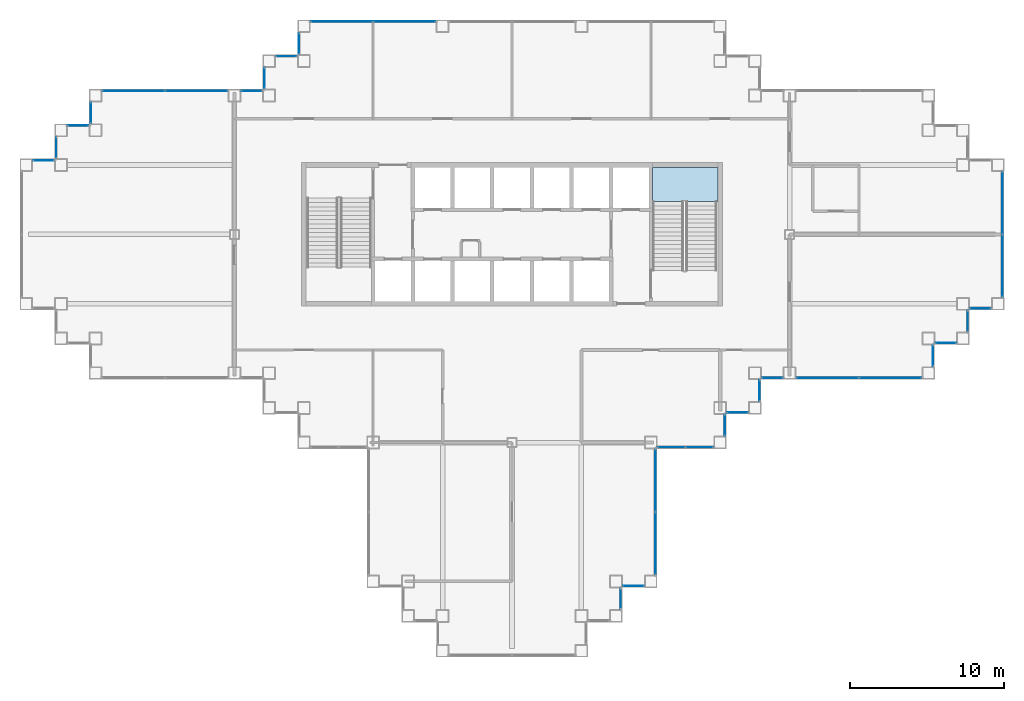
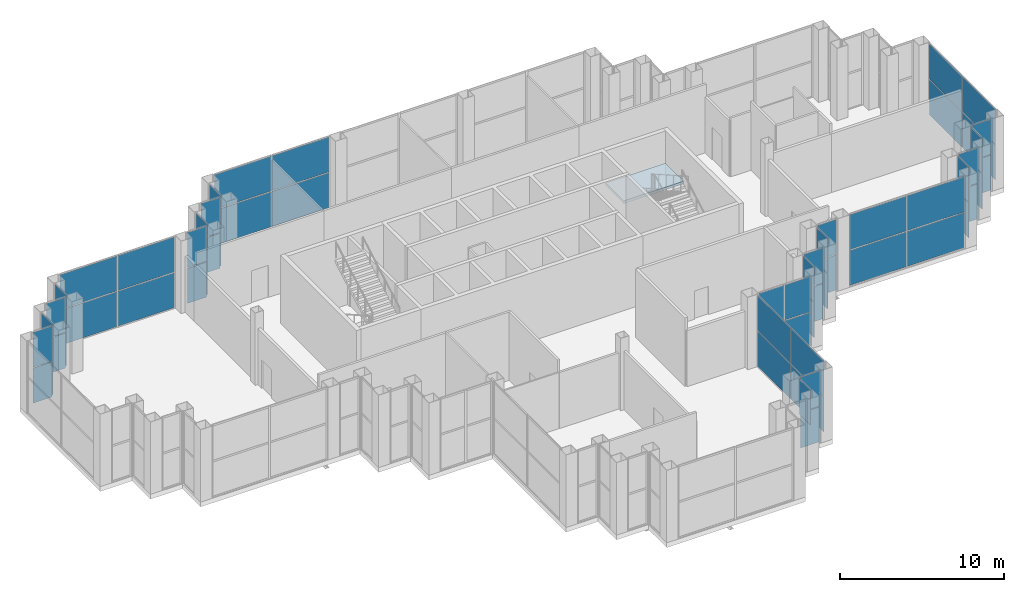
# One storey, part 10 of 18: 59 plates, 1 slab, 25 elements without a shape of their own.
"""IFC4 building model written with IfcOpenShell, lengths in metres."""

from ifc_helpers import new_model, si_unit, direction, frame, origin, origin_2d, place, context, subcontext, project, spatial, polyline, rectangle, outline, extrude, material, layer, layer_set, type_object, element, aggregate, save


model = new_model("IFC4")

# Units and contexts
model_context = context("Model", 3, precision=1e-05, world=origin(), true_north=direction((0.0, 1.0)))
body_context = subcontext(model_context, "Body", "Model", "MODEL_VIEW")
ifc_project = project(units=[si_unit("LENGTHUNIT", "METRE"), si_unit("AREAUNIT", "SQUARE_METRE"), si_unit("VOLUMEUNIT", "CUBIC_METRE"), si_unit("PLANEANGLEUNIT", "RADIAN"), si_unit("MASSUNIT", "GRAM", prefix="KILO")], contexts=[model_context])

# Site, building, storey
site_placement = place(None, origin())
site = spatial("IfcSite", under=ifc_project, at=site_placement, CompositionType="ELEMENT")
building_placement = place(site_placement, origin())
building = spatial("IfcBuilding", under=site, at=building_placement, Name="Caravel Reach Hotel and Residences", CompositionType="ELEMENT")
storey_placement = place(building_placement, frame((0.0, 0.0, 145.199951171875)))
storey = spatial("IfcBuildingStorey", under=building, at=storey_placement, Name="L36", CompositionType="ELEMENT", Elevation=145.199951171875)

# Curtain wall, plate
ifc_material_1 = material(Name="Dark low-e glazing in black aluminium frame", Category="aluminium")
ifc_layer_1 = layer(ifc_material_1, 0.199951171875)
ifc_layer_set_1 = layer_set([ifc_layer_1], Name="CW2 Sky lobby glazing")
curtain_wall_type = type_object("IfcCurtainWallType", Name="CW2 Sky lobby glazing", PredefinedType="NOTDEFINED", material=ifc_layer_set_1)
curtain_wall_1_placement = place(storey_placement, origin())
curtain_wall_1 = element("IfcCurtainWall", 1, at=curtain_wall_1_placement, inside=storey, type_object=curtain_wall_type, Name="Sky lobby glazing b0", PredefinedType="NOTDEFINED")
ifc_material_2 = material(Name="Dark laminated low-e glass", Category="glass")
ifc_layer_2 = layer(ifc_material_2, 0.028076171875)
ifc_layer_set_2 = layer_set([ifc_layer_2], Name="CW glass panel 28")
plate_type = type_object("IfcPlateType", Name="CW glass panel 28", PredefinedType="CURTAIN_PANEL", material=ifc_layer_set_2)
plate_1_placement = place(storey_placement, frame((38.550048828125, 3.375, 2.72998046875), z_axis=(0.0, 0.0, 1.0), x_axis=(0.0, 1.0, 0.0)))
plate_1 = element("IfcPlate", 2, at=plate_1_placement, type_object=plate_type, Name="CW2 panel 1.2", PredefinedType="CURTAIN_PANEL", context=body_context, shape_type="SweptSolid", body=[
    extrude(rectangle(XDim=1.330078125, YDim=0.028076171875, at=origin_2d()), origin(), (0.0, 0.0, 1.0), 2.610107421875),
])
aggregate(curtain_wall_1, [plate_1])

# Curtain wall, plates
curtain_wall_2_placement = place(storey_placement, origin())
curtain_wall_2 = element("IfcCurtainWall", 3, at=curtain_wall_2_placement, inside=storey, type_object=curtain_wall_type, Name="Sky lobby glazing b0", PredefinedType="NOTDEFINED")
plate_2_placement = place(storey_placement, frame((39.375, 4.199951171875, 0.06005859375), z_axis=(0.0, 0.0, 1.0), x_axis=(1.0, 0.0, 0.0)))
plate_2 = element("IfcPlate", 4, at=plate_2_placement, type_object=plate_type, Name="CW2 panel 1.1", PredefinedType="CURTAIN_PANEL", context=body_context, shape_type="SweptSolid", body=[
    extrude(rectangle(XDim=1.330078125, YDim=0.028076171875, at=origin_2d()), origin(), (0.0, 0.0, 1.0), 2.610107421875),
])
plate_3_placement = place(storey_placement, frame((39.375, 4.199951171875, 2.72998046875), z_axis=(0.0, 0.0, 1.0), x_axis=(1.0, 0.0, 0.0)))
plate_3 = element("IfcPlate", 5, at=plate_3_placement, type_object=plate_type, Name="CW2 panel 1.2", PredefinedType="CURTAIN_PANEL", context=body_context, shape_type="SweptSolid", body=[
    extrude(rectangle(XDim=1.330078125, YDim=0.028076171875, at=origin_2d()), origin(), (0.0, 0.0, 1.0), 2.610107421875),
])
aggregate(curtain_wall_2, [plate_2, plate_3])

curtain_wall_3_placement = place(storey_placement, origin())
curtain_wall_3 = element("IfcCurtainWall", 6, at=curtain_wall_3_placement, inside=storey, type_object=curtain_wall_type, Name="Sky lobby glazing b0", PredefinedType="NOTDEFINED")
plate_4_placement = place(storey_placement, frame((40.800048828125, 6.965087890625, 0.06005859375), z_axis=(0.0, 0.0, 1.0), x_axis=(0.0, 1.0, 0.0)))
plate_4 = element("IfcPlate", 7, at=plate_4_placement, type_object=plate_type, Name="CW2 panel 1.1", PredefinedType="CURTAIN_PANEL", context=body_context, shape_type="SweptSolid", body=[
    extrude(rectangle(XDim=4.010009765625, YDim=0.028076171875, at=origin_2d()), origin(), (0.0, 0.0, 1.0), 2.610107421875),
])
plate_5_placement = place(storey_placement, frame((40.800048828125, 6.965087890625, 2.72998046875), z_axis=(0.0, 0.0, 1.0), x_axis=(0.0, 1.0, 0.0)))
plate_5 = element("IfcPlate", 8, at=plate_5_placement, type_object=plate_type, Name="CW2 panel 1.2", PredefinedType="CURTAIN_PANEL", context=body_context, shape_type="SweptSolid", body=[
    extrude(rectangle(XDim=4.010009765625, YDim=0.028076171875, at=origin_2d()), origin(), (0.0, 0.0, 1.0), 2.610107421875),
])
plate_6_placement = place(storey_placement, frame((40.800048828125, 11.034912109375, 0.06005859375), z_axis=(0.0, 0.0, 1.0), x_axis=(0.0, 1.0, 0.0)))
plate_6 = element("IfcPlate", 9, at=plate_6_placement, type_object=plate_type, Name="CW2 panel 2.1", PredefinedType="CURTAIN_PANEL", context=body_context, shape_type="SweptSolid", body=[
    extrude(rectangle(XDim=4.010009765625, YDim=0.028076171875, at=origin_2d()), origin(), (0.0, 0.0, 1.0), 2.610107421875),
])
plate_7_placement = place(storey_placement, frame((40.800048828125, 11.034912109375, 2.72998046875), z_axis=(0.0, 0.0, 1.0), x_axis=(0.0, 1.0, 0.0)))
plate_7 = element("IfcPlate", 10, at=plate_7_placement, type_object=plate_type, Name="CW2 panel 2.2", PredefinedType="CURTAIN_PANEL", context=body_context, shape_type="SweptSolid", body=[
    extrude(rectangle(XDim=4.010009765625, YDim=0.028076171875, at=origin_2d()), origin(), (0.0, 0.0, 1.0), 2.610107421875),
])
aggregate(curtain_wall_3, [plate_4, plate_5, plate_6, plate_7])

curtain_wall_4_placement = place(storey_placement, origin())
curtain_wall_4 = element("IfcCurtainWall", 11, at=curtain_wall_4_placement, inside=storey, type_object=curtain_wall_type, Name="Sky lobby glazing b0", PredefinedType="NOTDEFINED")
plate_8_placement = place(storey_placement, frame((41.840087890625, 13.199951171875, 0.06005859375), z_axis=(0.0, 0.0, 1.0), x_axis=(1.0, 0.0, 0.0)))
plate_8 = element("IfcPlate", 12, at=plate_8_placement, type_object=plate_type, Name="CW2 panel 1.1", PredefinedType="CURTAIN_PANEL", context=body_context, shape_type="SweptSolid", body=[
    extrude(rectangle(XDim=1.760009765625, YDim=0.028076171875, at=origin_2d()), origin(), (0.0, 0.0, 1.0), 2.610107421875),
])
plate_9_placement = place(storey_placement, frame((41.840087890625, 13.199951171875, 2.72998046875), z_axis=(0.0, 0.0, 1.0), x_axis=(1.0, 0.0, 0.0)))
plate_9 = element("IfcPlate", 13, at=plate_9_placement, type_object=plate_type, Name="CW2 panel 1.2", PredefinedType="CURTAIN_PANEL", context=body_context, shape_type="SweptSolid", body=[
    extrude(rectangle(XDim=1.760009765625, YDim=0.028076171875, at=origin_2d()), origin(), (0.0, 0.0, 1.0), 2.610107421875),
])
plate_10_placement = place(storey_placement, frame((43.659912109375, 13.199951171875, 0.06005859375), z_axis=(0.0, 0.0, 1.0), x_axis=(1.0, 0.0, 0.0)))
plate_10 = element("IfcPlate", 14, at=plate_10_placement, type_object=plate_type, Name="CW2 panel 2.1", PredefinedType="CURTAIN_PANEL", context=body_context, shape_type="SweptSolid", body=[
    extrude(rectangle(XDim=1.760009765625, YDim=0.028076171875, at=origin_2d()), origin(), (0.0, 0.0, 1.0), 2.610107421875),
])
plate_11_placement = place(storey_placement, frame((43.659912109375, 13.199951171875, 2.72998046875), z_axis=(0.0, 0.0, 1.0), x_axis=(1.0, 0.0, 0.0)))
plate_11 = element("IfcPlate", 15, at=plate_11_placement, type_object=plate_type, Name="CW2 panel 2.2", PredefinedType="CURTAIN_PANEL", context=body_context, shape_type="SweptSolid", body=[
    extrude(rectangle(XDim=1.760009765625, YDim=0.028076171875, at=origin_2d()), origin(), (0.0, 0.0, 1.0), 2.610107421875),
])
aggregate(curtain_wall_4, [plate_8, plate_9, plate_10, plate_11])

curtain_wall_5_placement = place(storey_placement, origin())
curtain_wall_5 = element("IfcCurtainWall", 16, at=curtain_wall_5_placement, inside=storey, type_object=curtain_wall_type, Name="Sky lobby glazing b0", PredefinedType="NOTDEFINED")
plate_12_placement = place(storey_placement, frame((45.300048828125, 14.625, 0.06005859375), z_axis=(0.0, 0.0, 1.0), x_axis=(0.0, 1.0, 0.0)))
plate_12 = element("IfcPlate", 17, at=plate_12_placement, type_object=plate_type, Name="CW2 panel 1.1", PredefinedType="CURTAIN_PANEL", context=body_context, shape_type="SweptSolid", body=[
    extrude(rectangle(XDim=1.330078125, YDim=0.028076171875, at=origin_2d()), origin(), (0.0, 0.0, 1.0), 2.610107421875),
])
plate_13_placement = place(storey_placement, frame((45.300048828125, 14.625, 2.72998046875), z_axis=(0.0, 0.0, 1.0), x_axis=(0.0, 1.0, 0.0)))
plate_13 = element("IfcPlate", 18, at=plate_13_placement, type_object=plate_type, Name="CW2 panel 1.2", PredefinedType="CURTAIN_PANEL", context=body_context, shape_type="SweptSolid", body=[
    extrude(rectangle(XDim=1.330078125, YDim=0.028076171875, at=origin_2d()), origin(), (0.0, 0.0, 1.0), 2.610107421875),
])
aggregate(curtain_wall_5, [plate_12, plate_13])

curtain_wall_6_placement = place(storey_placement, origin())
curtain_wall_6 = element("IfcCurtainWall", 19, at=curtain_wall_6_placement, inside=storey, type_object=curtain_wall_type, Name="Sky lobby glazing b0", PredefinedType="NOTDEFINED")
plate_14_placement = place(storey_placement, frame((46.125, 15.449951171875, 0.06005859375), z_axis=(0.0, 0.0, 1.0), x_axis=(1.0, 0.0, 0.0)))
plate_14 = element("IfcPlate", 20, at=plate_14_placement, type_object=plate_type, Name="CW2 panel 1.1", PredefinedType="CURTAIN_PANEL", context=body_context, shape_type="SweptSolid", body=[
    extrude(rectangle(XDim=1.330078125, YDim=0.028076171875, at=origin_2d()), origin(), (0.0, 0.0, 1.0), 2.610107421875),
])
plate_15_placement = place(storey_placement, frame((46.125, 15.449951171875, 2.72998046875), z_axis=(0.0, 0.0, 1.0), x_axis=(1.0, 0.0, 0.0)))
plate_15 = element("IfcPlate", 21, at=plate_15_placement, type_object=plate_type, Name="CW2 panel 1.2", PredefinedType="CURTAIN_PANEL", context=body_context, shape_type="SweptSolid", body=[
    extrude(rectangle(XDim=1.330078125, YDim=0.028076171875, at=origin_2d()), origin(), (0.0, 0.0, 1.0), 2.610107421875),
])
aggregate(curtain_wall_6, [plate_14, plate_15])

curtain_wall_7_placement = place(storey_placement, origin())
curtain_wall_7 = element("IfcCurtainWall", 22, at=curtain_wall_7_placement, inside=storey, type_object=curtain_wall_type, Name="Sky lobby glazing b0", PredefinedType="NOTDEFINED")
plate_16_placement = place(storey_placement, frame((47.550048828125, 16.875, 0.06005859375), z_axis=(0.0, 0.0, 1.0), x_axis=(0.0, 1.0, 0.0)))
plate_16 = element("IfcPlate", 23, at=plate_16_placement, type_object=plate_type, Name="CW2 panel 1.1", PredefinedType="CURTAIN_PANEL", context=body_context, shape_type="SweptSolid", body=[
    extrude(rectangle(XDim=1.330078125, YDim=0.028076171875, at=origin_2d()), origin(), (0.0, 0.0, 1.0), 2.610107421875),
])
plate_17_placement = place(storey_placement, frame((47.550048828125, 16.875, 2.72998046875), z_axis=(0.0, 0.0, 1.0), x_axis=(0.0, 1.0, 0.0)))
plate_17 = element("IfcPlate", 24, at=plate_17_placement, type_object=plate_type, Name="CW2 panel 1.2", PredefinedType="CURTAIN_PANEL", context=body_context, shape_type="SweptSolid", body=[
    extrude(rectangle(XDim=1.330078125, YDim=0.028076171875, at=origin_2d()), origin(), (0.0, 0.0, 1.0), 2.610107421875),
])
aggregate(curtain_wall_7, [plate_16, plate_17])

curtain_wall_8_placement = place(storey_placement, origin())
curtain_wall_8 = element("IfcCurtainWall", 25, at=curtain_wall_8_placement, inside=storey, type_object=curtain_wall_type, Name="Sky lobby glazing b0", PredefinedType="NOTDEFINED")
plate_18_placement = place(storey_placement, frame((48.375, 17.699951171875, 0.06005859375), z_axis=(0.0, 0.0, 1.0), x_axis=(1.0, 0.0, 0.0)))
plate_18 = element("IfcPlate", 26, at=plate_18_placement, type_object=plate_type, Name="CW2 panel 1.1", PredefinedType="CURTAIN_PANEL", context=body_context, shape_type="SweptSolid", body=[
    extrude(rectangle(XDim=1.330078125, YDim=0.028076171875, at=origin_2d()), origin(), (0.0, 0.0, 1.0), 2.610107421875),
])
plate_19_placement = place(storey_placement, frame((48.375, 17.699951171875, 2.72998046875), z_axis=(0.0, 0.0, 1.0), x_axis=(1.0, 0.0, 0.0)))
plate_19 = element("IfcPlate", 27, at=plate_19_placement, type_object=plate_type, Name="CW2 panel 1.2", PredefinedType="CURTAIN_PANEL", context=body_context, shape_type="SweptSolid", body=[
    extrude(rectangle(XDim=1.330078125, YDim=0.028076171875, at=origin_2d()), origin(), (0.0, 0.0, 1.0), 2.610107421875),
])
aggregate(curtain_wall_8, [plate_18, plate_19])

curtain_wall_9_placement = place(storey_placement, origin())
curtain_wall_9 = element("IfcCurtainWall", 28, at=curtain_wall_9_placement, inside=storey, type_object=curtain_wall_type, Name="Sky lobby glazing b1", PredefinedType="NOTDEFINED")
plate_20_placement = place(storey_placement, frame((51.965087890625, 17.699951171875, 0.06005859375), z_axis=(0.0, 0.0, 1.0), x_axis=(1.0, 0.0, 0.0)))
plate_20 = element("IfcPlate", 29, at=plate_20_placement, type_object=plate_type, Name="CW2 panel 1.1", PredefinedType="CURTAIN_PANEL", context=body_context, shape_type="SweptSolid", body=[
    extrude(rectangle(XDim=4.010009765625, YDim=0.028076171875, at=origin_2d()), origin(), (0.0, 0.0, 1.0), 2.610107421875),
])
plate_21_placement = place(storey_placement, frame((51.965087890625, 17.699951171875, 2.72998046875), z_axis=(0.0, 0.0, 1.0), x_axis=(1.0, 0.0, 0.0)))
plate_21 = element("IfcPlate", 30, at=plate_21_placement, type_object=plate_type, Name="CW2 panel 1.2", PredefinedType="CURTAIN_PANEL", context=body_context, shape_type="SweptSolid", body=[
    extrude(rectangle(XDim=4.010009765625, YDim=0.028076171875, at=origin_2d()), origin(), (0.0, 0.0, 1.0), 2.610107421875),
])
plate_22_placement = place(storey_placement, frame((56.034912109375, 17.699951171875, 0.06005859375), z_axis=(0.0, 0.0, 1.0), x_axis=(1.0, 0.0, 0.0)))
plate_22 = element("IfcPlate", 31, at=plate_22_placement, type_object=plate_type, Name="CW2 panel 2.1", PredefinedType="CURTAIN_PANEL", context=body_context, shape_type="SweptSolid", body=[
    extrude(rectangle(XDim=4.010009765625, YDim=0.028076171875, at=origin_2d()), origin(), (0.0, 0.0, 1.0), 2.610107421875),
])
plate_23_placement = place(storey_placement, frame((56.034912109375, 17.699951171875, 2.72998046875), z_axis=(0.0, 0.0, 1.0), x_axis=(1.0, 0.0, 0.0)))
plate_23 = element("IfcPlate", 32, at=plate_23_placement, type_object=plate_type, Name="CW2 panel 2.2", PredefinedType="CURTAIN_PANEL", context=body_context, shape_type="SweptSolid", body=[
    extrude(rectangle(XDim=4.010009765625, YDim=0.028076171875, at=origin_2d()), origin(), (0.0, 0.0, 1.0), 2.610107421875),
])
aggregate(curtain_wall_9, [plate_20, plate_21, plate_22, plate_23])

curtain_wall_10_placement = place(storey_placement, origin())
curtain_wall_10 = element("IfcCurtainWall", 33, at=curtain_wall_10_placement, inside=storey, type_object=curtain_wall_type, Name="Sky lobby glazing b0", PredefinedType="NOTDEFINED")
plate_24_placement = place(storey_placement, frame((58.800048828125, 19.125, 0.06005859375), z_axis=(0.0, 0.0, 1.0), x_axis=(0.0, 1.0, 0.0)))
plate_24 = element("IfcPlate", 34, at=plate_24_placement, type_object=plate_type, Name="CW2 panel 1.1", PredefinedType="CURTAIN_PANEL", context=body_context, shape_type="SweptSolid", body=[
    extrude(rectangle(XDim=1.330078125, YDim=0.028076171875, at=origin_2d()), origin(), (0.0, 0.0, 1.0), 2.610107421875),
])
plate_25_placement = place(storey_placement, frame((58.800048828125, 19.125, 2.72998046875), z_axis=(0.0, 0.0, 1.0), x_axis=(0.0, 1.0, 0.0)))
plate_25 = element("IfcPlate", 35, at=plate_25_placement, type_object=plate_type, Name="CW2 panel 1.2", PredefinedType="CURTAIN_PANEL", context=body_context, shape_type="SweptSolid", body=[
    extrude(rectangle(XDim=1.330078125, YDim=0.028076171875, at=origin_2d()), origin(), (0.0, 0.0, 1.0), 2.610107421875),
])
aggregate(curtain_wall_10, [plate_24, plate_25])

curtain_wall_11_placement = place(storey_placement, origin())
curtain_wall_11 = element("IfcCurtainWall", 36, at=curtain_wall_11_placement, inside=storey, type_object=curtain_wall_type, Name="Sky lobby glazing b0", PredefinedType="NOTDEFINED")
plate_26_placement = place(storey_placement, frame((59.625, 19.949951171875, 0.06005859375), z_axis=(0.0, 0.0, 1.0), x_axis=(1.0, 0.0, 0.0)))
plate_26 = element("IfcPlate", 37, at=plate_26_placement, type_object=plate_type, Name="CW2 panel 1.1", PredefinedType="CURTAIN_PANEL", context=body_context, shape_type="SweptSolid", body=[
    extrude(rectangle(XDim=1.330078125, YDim=0.028076171875, at=origin_2d()), origin(), (0.0, 0.0, 1.0), 2.610107421875),
])
plate_27_placement = place(storey_placement, frame((59.625, 19.949951171875, 2.72998046875), z_axis=(0.0, 0.0, 1.0), x_axis=(1.0, 0.0, 0.0)))
plate_27 = element("IfcPlate", 38, at=plate_27_placement, type_object=plate_type, Name="CW2 panel 1.2", PredefinedType="CURTAIN_PANEL", context=body_context, shape_type="SweptSolid", body=[
    extrude(rectangle(XDim=1.330078125, YDim=0.028076171875, at=origin_2d()), origin(), (0.0, 0.0, 1.0), 2.610107421875),
])
aggregate(curtain_wall_11, [plate_26, plate_27])

curtain_wall_12_placement = place(storey_placement, origin())
curtain_wall_12 = element("IfcCurtainWall", 39, at=curtain_wall_12_placement, inside=storey, type_object=curtain_wall_type, Name="Sky lobby glazing b0", PredefinedType="NOTDEFINED")
plate_28_placement = place(storey_placement, frame((61.050048828125, 21.375, 0.06005859375), z_axis=(0.0, 0.0, 1.0), x_axis=(0.0, 1.0, 0.0)))
plate_28 = element("IfcPlate", 40, at=plate_28_placement, type_object=plate_type, Name="CW2 panel 1.1", PredefinedType="CURTAIN_PANEL", context=body_context, shape_type="SweptSolid", body=[
    extrude(rectangle(XDim=1.330078125, YDim=0.028076171875, at=origin_2d()), origin(), (0.0, 0.0, 1.0), 2.610107421875),
])
plate_29_placement = place(storey_placement, frame((61.050048828125, 21.375, 2.72998046875), z_axis=(0.0, 0.0, 1.0), x_axis=(0.0, 1.0, 0.0)))
plate_29 = element("IfcPlate", 41, at=plate_29_placement, type_object=plate_type, Name="CW2 panel 1.2", PredefinedType="CURTAIN_PANEL", context=body_context, shape_type="SweptSolid", body=[
    extrude(rectangle(XDim=1.330078125, YDim=0.028076171875, at=origin_2d()), origin(), (0.0, 0.0, 1.0), 2.610107421875),
])
aggregate(curtain_wall_12, [plate_28, plate_29])

curtain_wall_13_placement = place(storey_placement, origin())
curtain_wall_13 = element("IfcCurtainWall", 42, at=curtain_wall_13_placement, inside=storey, type_object=curtain_wall_type, Name="Sky lobby glazing b0", PredefinedType="NOTDEFINED")
plate_30_placement = place(storey_placement, frame((61.875, 22.199951171875, 0.06005859375), z_axis=(0.0, 0.0, 1.0), x_axis=(1.0, 0.0, 0.0)))
plate_30 = element("IfcPlate", 43, at=plate_30_placement, type_object=plate_type, Name="CW2 panel 1.1", PredefinedType="CURTAIN_PANEL", context=body_context, shape_type="SweptSolid", body=[
    extrude(rectangle(XDim=1.330078125, YDim=0.028076171875, at=origin_2d()), origin(), (0.0, 0.0, 1.0), 2.610107421875),
])
plate_31_placement = place(storey_placement, frame((61.875, 22.199951171875, 2.72998046875), z_axis=(0.0, 0.0, 1.0), x_axis=(1.0, 0.0, 0.0)))
plate_31 = element("IfcPlate", 44, at=plate_31_placement, type_object=plate_type, Name="CW2 panel 1.2", PredefinedType="CURTAIN_PANEL", context=body_context, shape_type="SweptSolid", body=[
    extrude(rectangle(XDim=1.330078125, YDim=0.028076171875, at=origin_2d()), origin(), (0.0, 0.0, 1.0), 2.610107421875),
])
aggregate(curtain_wall_13, [plate_30, plate_31])

curtain_wall_14_placement = place(storey_placement, origin())
curtain_wall_14 = element("IfcCurtainWall", 45, at=curtain_wall_14_placement, inside=storey, type_object=curtain_wall_type, Name="Sky lobby glazing b0", PredefinedType="NOTDEFINED")
plate_32_placement = place(storey_placement, frame((63.300048828125, 24.965087890625, 0.06005859375), z_axis=(0.0, 0.0, 1.0), x_axis=(0.0, 1.0, 0.0)))
plate_32 = element("IfcPlate", 46, at=plate_32_placement, type_object=plate_type, Name="CW2 panel 1.1", PredefinedType="CURTAIN_PANEL", context=body_context, shape_type="SweptSolid", body=[
    extrude(rectangle(XDim=4.010009765625, YDim=0.028076171875, at=origin_2d()), origin(), (0.0, 0.0, 1.0), 2.610107421875),
])
plate_33_placement = place(storey_placement, frame((63.300048828125, 24.965087890625, 2.72998046875), z_axis=(0.0, 0.0, 1.0), x_axis=(0.0, 1.0, 0.0)))
plate_33 = element("IfcPlate", 47, at=plate_33_placement, type_object=plate_type, Name="CW2 panel 1.2", PredefinedType="CURTAIN_PANEL", context=body_context, shape_type="SweptSolid", body=[
    extrude(rectangle(XDim=4.010009765625, YDim=0.028076171875, at=origin_2d()), origin(), (0.0, 0.0, 1.0), 2.610107421875),
])
plate_34_placement = place(storey_placement, frame((63.300048828125, 29.034912109375, 0.06005859375), z_axis=(0.0, 0.0, 1.0), x_axis=(0.0, 1.0, 0.0)))
plate_34 = element("IfcPlate", 48, at=plate_34_placement, type_object=plate_type, Name="CW2 panel 2.1", PredefinedType="CURTAIN_PANEL", context=body_context, shape_type="SweptSolid", body=[
    extrude(rectangle(XDim=4.010009765625, YDim=0.028076171875, at=origin_2d()), origin(), (0.0, 0.0, 1.0), 2.610107421875),
])
plate_35_placement = place(storey_placement, frame((63.300048828125, 29.034912109375, 2.72998046875), z_axis=(0.0, 0.0, 1.0), x_axis=(0.0, 1.0, 0.0)))
plate_35 = element("IfcPlate", 49, at=plate_35_placement, type_object=plate_type, Name="CW2 panel 2.2", PredefinedType="CURTAIN_PANEL", context=body_context, shape_type="SweptSolid", body=[
    extrude(rectangle(XDim=4.010009765625, YDim=0.028076171875, at=origin_2d()), origin(), (0.0, 0.0, 1.0), 2.610107421875),
])
aggregate(curtain_wall_14, [plate_32, plate_33, plate_34, plate_35])

curtain_wall_15_placement = place(storey_placement, origin())
curtain_wall_15 = element("IfcCurtainWall", 50, at=curtain_wall_15_placement, inside=storey, type_object=curtain_wall_type, Name="Sky lobby glazing b2", PredefinedType="NOTDEFINED")
plate_36_placement = place(storey_placement, frame((24.534912109375, 40.800048828125, 0.06005859375), z_axis=(0.0, 0.0, 1.0), x_axis=(-1.0, 0.0, 0.0)))
plate_36 = element("IfcPlate", 51, at=plate_36_placement, type_object=plate_type, Name="CW2 panel 1.1", PredefinedType="CURTAIN_PANEL", context=body_context, shape_type="SweptSolid", body=[
    extrude(rectangle(XDim=4.010009765625, YDim=0.028076171875, at=origin_2d()), origin(), (0.0, 0.0, 1.0), 2.610107421875),
])
plate_37_placement = place(storey_placement, frame((24.534912109375, 40.800048828125, 2.72998046875), z_axis=(0.0, 0.0, 1.0), x_axis=(-1.0, 0.0, 0.0)))
plate_37 = element("IfcPlate", 52, at=plate_37_placement, type_object=plate_type, Name="CW2 panel 1.2", PredefinedType="CURTAIN_PANEL", context=body_context, shape_type="SweptSolid", body=[
    extrude(rectangle(XDim=4.010009765625, YDim=0.028076171875, at=origin_2d()), origin(), (0.0, 0.0, 1.0), 2.610107421875),
])
plate_38_placement = place(storey_placement, frame((20.465087890625, 40.800048828125, 0.06005859375), z_axis=(0.0, 0.0, 1.0), x_axis=(-1.0, 0.0, 0.0)))
plate_38 = element("IfcPlate", 53, at=plate_38_placement, type_object=plate_type, Name="CW2 panel 2.1", PredefinedType="CURTAIN_PANEL", context=body_context, shape_type="SweptSolid", body=[
    extrude(rectangle(XDim=4.010009765625, YDim=0.028076171875, at=origin_2d()), origin(), (0.0, 0.0, 1.0), 2.610107421875),
])
plate_39_placement = place(storey_placement, frame((20.465087890625, 40.800048828125, 2.72998046875), z_axis=(0.0, 0.0, 1.0), x_axis=(-1.0, 0.0, 0.0)))
plate_39 = element("IfcPlate", 54, at=plate_39_placement, type_object=plate_type, Name="CW2 panel 2.2", PredefinedType="CURTAIN_PANEL", context=body_context, shape_type="SweptSolid", body=[
    extrude(rectangle(XDim=4.010009765625, YDim=0.028076171875, at=origin_2d()), origin(), (0.0, 0.0, 1.0), 2.610107421875),
])
aggregate(curtain_wall_15, [plate_36, plate_37, plate_38, plate_39])

curtain_wall_16_placement = place(storey_placement, origin())
curtain_wall_16 = element("IfcCurtainWall", 55, at=curtain_wall_16_placement, inside=storey, type_object=curtain_wall_type, Name="Sky lobby glazing b0", PredefinedType="NOTDEFINED")
plate_40_placement = place(storey_placement, frame((17.699951171875, 39.375, 0.06005859375), z_axis=(0.0, 0.0, 1.0), x_axis=(0.0, -1.0, 0.0)))
plate_40 = element("IfcPlate", 56, at=plate_40_placement, type_object=plate_type, Name="CW2 panel 1.1", PredefinedType="CURTAIN_PANEL", context=body_context, shape_type="SweptSolid", body=[
    extrude(rectangle(XDim=1.330078125, YDim=0.028076171875, at=origin_2d()), origin(), (0.0, 0.0, 1.0), 2.610107421875),
])
plate_41_placement = place(storey_placement, frame((17.699951171875, 39.375, 2.72998046875), z_axis=(0.0, 0.0, 1.0), x_axis=(0.0, -1.0, 0.0)))
plate_41 = element("IfcPlate", 57, at=plate_41_placement, type_object=plate_type, Name="CW2 panel 1.2", PredefinedType="CURTAIN_PANEL", context=body_context, shape_type="SweptSolid", body=[
    extrude(rectangle(XDim=1.330078125, YDim=0.028076171875, at=origin_2d()), origin(), (0.0, 0.0, 1.0), 2.610107421875),
])
aggregate(curtain_wall_16, [plate_40, plate_41])

curtain_wall_17_placement = place(storey_placement, origin())
curtain_wall_17 = element("IfcCurtainWall", 58, at=curtain_wall_17_placement, inside=storey, type_object=curtain_wall_type, Name="Sky lobby glazing b0", PredefinedType="NOTDEFINED")
plate_42_placement = place(storey_placement, frame((16.875, 38.550048828125, 0.06005859375), z_axis=(0.0, 0.0, 1.0), x_axis=(-1.0, 0.0, 0.0)))
plate_42 = element("IfcPlate", 59, at=plate_42_placement, type_object=plate_type, Name="CW2 panel 1.1", PredefinedType="CURTAIN_PANEL", context=body_context, shape_type="SweptSolid", body=[
    extrude(rectangle(XDim=1.330078125, YDim=0.028076171875, at=origin_2d()), origin(), (0.0, 0.0, 1.0), 2.610107421875),
])
plate_43_placement = place(storey_placement, frame((16.875, 38.550048828125, 2.72998046875), z_axis=(0.0, 0.0, 1.0), x_axis=(-1.0, 0.0, 0.0)))
plate_43 = element("IfcPlate", 60, at=plate_43_placement, type_object=plate_type, Name="CW2 panel 1.2", PredefinedType="CURTAIN_PANEL", context=body_context, shape_type="SweptSolid", body=[
    extrude(rectangle(XDim=1.330078125, YDim=0.028076171875, at=origin_2d()), origin(), (0.0, 0.0, 1.0), 2.610107421875),
])
aggregate(curtain_wall_17, [plate_42, plate_43])

curtain_wall_18_placement = place(storey_placement, origin())
curtain_wall_18 = element("IfcCurtainWall", 61, at=curtain_wall_18_placement, inside=storey, type_object=curtain_wall_type, Name="Sky lobby glazing b0", PredefinedType="NOTDEFINED")
plate_44_placement = place(storey_placement, frame((15.449951171875, 37.125, 0.06005859375), z_axis=(0.0, 0.0, 1.0), x_axis=(0.0, -1.0, 0.0)))
plate_44 = element("IfcPlate", 62, at=plate_44_placement, type_object=plate_type, Name="CW2 panel 1.1", PredefinedType="CURTAIN_PANEL", context=body_context, shape_type="SweptSolid", body=[
    extrude(rectangle(XDim=1.330078125, YDim=0.028076171875, at=origin_2d()), origin(), (0.0, 0.0, 1.0), 2.610107421875),
])
plate_45_placement = place(storey_placement, frame((15.449951171875, 37.125, 2.72998046875), z_axis=(0.0, 0.0, 1.0), x_axis=(0.0, -1.0, 0.0)))
plate_45 = element("IfcPlate", 63, at=plate_45_placement, type_object=plate_type, Name="CW2 panel 1.2", PredefinedType="CURTAIN_PANEL", context=body_context, shape_type="SweptSolid", body=[
    extrude(rectangle(XDim=1.330078125, YDim=0.028076171875, at=origin_2d()), origin(), (0.0, 0.0, 1.0), 2.610107421875),
])
aggregate(curtain_wall_18, [plate_44, plate_45])

curtain_wall_19_placement = place(storey_placement, origin())
curtain_wall_19 = element("IfcCurtainWall", 64, at=curtain_wall_19_placement, inside=storey, type_object=curtain_wall_type, Name="Sky lobby glazing b0", PredefinedType="NOTDEFINED")
plate_46_placement = place(storey_placement, frame((14.625, 36.300048828125, 0.06005859375), z_axis=(0.0, 0.0, 1.0), x_axis=(-1.0, 0.0, 0.0)))
plate_46 = element("IfcPlate", 65, at=plate_46_placement, type_object=plate_type, Name="CW2 panel 1.1", PredefinedType="CURTAIN_PANEL", context=body_context, shape_type="SweptSolid", body=[
    extrude(rectangle(XDim=1.330078125, YDim=0.028076171875, at=origin_2d()), origin(), (0.0, 0.0, 1.0), 2.610107421875),
])
plate_47_placement = place(storey_placement, frame((14.625, 36.300048828125, 2.72998046875), z_axis=(0.0, 0.0, 1.0), x_axis=(-1.0, 0.0, 0.0)))
plate_47 = element("IfcPlate", 66, at=plate_47_placement, type_object=plate_type, Name="CW2 panel 1.2", PredefinedType="CURTAIN_PANEL", context=body_context, shape_type="SweptSolid", body=[
    extrude(rectangle(XDim=1.330078125, YDim=0.028076171875, at=origin_2d()), origin(), (0.0, 0.0, 1.0), 2.610107421875),
])
aggregate(curtain_wall_19, [plate_46, plate_47])

curtain_wall_20_placement = place(storey_placement, origin())
curtain_wall_20 = element("IfcCurtainWall", 67, at=curtain_wall_20_placement, inside=storey, type_object=curtain_wall_type, Name="Sky lobby glazing b1", PredefinedType="NOTDEFINED")
plate_48_placement = place(storey_placement, frame((11.034912109375, 36.300048828125, 0.06005859375), z_axis=(0.0, 0.0, 1.0), x_axis=(-1.0, 0.0, 0.0)))
plate_48 = element("IfcPlate", 68, at=plate_48_placement, type_object=plate_type, Name="CW2 panel 1.1", PredefinedType="CURTAIN_PANEL", context=body_context, shape_type="SweptSolid", body=[
    extrude(rectangle(XDim=4.010009765625, YDim=0.028076171875, at=origin_2d()), origin(), (0.0, 0.0, 1.0), 2.610107421875),
])
plate_49_placement = place(storey_placement, frame((11.034912109375, 36.300048828125, 2.72998046875), z_axis=(0.0, 0.0, 1.0), x_axis=(-1.0, 0.0, 0.0)))
plate_49 = element("IfcPlate", 69, at=plate_49_placement, type_object=plate_type, Name="CW2 panel 1.2", PredefinedType="CURTAIN_PANEL", context=body_context, shape_type="SweptSolid", body=[
    extrude(rectangle(XDim=4.010009765625, YDim=0.028076171875, at=origin_2d()), origin(), (0.0, 0.0, 1.0), 2.610107421875),
])
plate_50_placement = place(storey_placement, frame((6.965087890625, 36.300048828125, 0.06005859375), z_axis=(0.0, 0.0, 1.0), x_axis=(-1.0, 0.0, 0.0)))
plate_50 = element("IfcPlate", 70, at=plate_50_placement, type_object=plate_type, Name="CW2 panel 2.1", PredefinedType="CURTAIN_PANEL", context=body_context, shape_type="SweptSolid", body=[
    extrude(rectangle(XDim=4.010009765625, YDim=0.028076171875, at=origin_2d()), origin(), (0.0, 0.0, 1.0), 2.610107421875),
])
plate_51_placement = place(storey_placement, frame((6.965087890625, 36.300048828125, 2.72998046875), z_axis=(0.0, 0.0, 1.0), x_axis=(-1.0, 0.0, 0.0)))
plate_51 = element("IfcPlate", 71, at=plate_51_placement, type_object=plate_type, Name="CW2 panel 2.2", PredefinedType="CURTAIN_PANEL", context=body_context, shape_type="SweptSolid", body=[
    extrude(rectangle(XDim=4.010009765625, YDim=0.028076171875, at=origin_2d()), origin(), (0.0, 0.0, 1.0), 2.610107421875),
])
aggregate(curtain_wall_20, [plate_48, plate_49, plate_50, plate_51])

curtain_wall_21_placement = place(storey_placement, origin())
curtain_wall_21 = element("IfcCurtainWall", 72, at=curtain_wall_21_placement, inside=storey, type_object=curtain_wall_type, Name="Sky lobby glazing b0", PredefinedType="NOTDEFINED")
plate_52_placement = place(storey_placement, frame((4.199951171875, 34.875, 0.06005859375), z_axis=(0.0, 0.0, 1.0), x_axis=(0.0, -1.0, 0.0)))
plate_52 = element("IfcPlate", 73, at=plate_52_placement, type_object=plate_type, Name="CW2 panel 1.1", PredefinedType="CURTAIN_PANEL", context=body_context, shape_type="SweptSolid", body=[
    extrude(rectangle(XDim=1.330078125, YDim=0.028076171875, at=origin_2d()), origin(), (0.0, 0.0, 1.0), 2.610107421875),
])
plate_53_placement = place(storey_placement, frame((4.199951171875, 34.875, 2.72998046875), z_axis=(0.0, 0.0, 1.0), x_axis=(0.0, -1.0, 0.0)))
plate_53 = element("IfcPlate", 74, at=plate_53_placement, type_object=plate_type, Name="CW2 panel 1.2", PredefinedType="CURTAIN_PANEL", context=body_context, shape_type="SweptSolid", body=[
    extrude(rectangle(XDim=1.330078125, YDim=0.028076171875, at=origin_2d()), origin(), (0.0, 0.0, 1.0), 2.610107421875),
])
aggregate(curtain_wall_21, [plate_52, plate_53])

curtain_wall_22_placement = place(storey_placement, origin())
curtain_wall_22 = element("IfcCurtainWall", 75, at=curtain_wall_22_placement, inside=storey, type_object=curtain_wall_type, Name="Sky lobby glazing b0", PredefinedType="NOTDEFINED")
plate_54_placement = place(storey_placement, frame((3.375, 34.050048828125, 0.06005859375), z_axis=(0.0, 0.0, 1.0), x_axis=(-1.0, 0.0, 0.0)))
plate_54 = element("IfcPlate", 76, at=plate_54_placement, type_object=plate_type, Name="CW2 panel 1.1", PredefinedType="CURTAIN_PANEL", context=body_context, shape_type="SweptSolid", body=[
    extrude(rectangle(XDim=1.330078125, YDim=0.028076171875, at=origin_2d()), origin(), (0.0, 0.0, 1.0), 2.610107421875),
])
plate_55_placement = place(storey_placement, frame((3.375, 34.050048828125, 2.72998046875), z_axis=(0.0, 0.0, 1.0), x_axis=(-1.0, 0.0, 0.0)))
plate_55 = element("IfcPlate", 77, at=plate_55_placement, type_object=plate_type, Name="CW2 panel 1.2", PredefinedType="CURTAIN_PANEL", context=body_context, shape_type="SweptSolid", body=[
    extrude(rectangle(XDim=1.330078125, YDim=0.028076171875, at=origin_2d()), origin(), (0.0, 0.0, 1.0), 2.610107421875),
])
aggregate(curtain_wall_22, [plate_54, plate_55])

curtain_wall_23_placement = place(storey_placement, origin())
curtain_wall_23 = element("IfcCurtainWall", 78, at=curtain_wall_23_placement, inside=storey, type_object=curtain_wall_type, Name="Sky lobby glazing b0", PredefinedType="NOTDEFINED")
plate_56_placement = place(storey_placement, frame((1.949951171875, 32.625, 0.06005859375), z_axis=(0.0, 0.0, 1.0), x_axis=(0.0, -1.0, 0.0)))
plate_56 = element("IfcPlate", 79, at=plate_56_placement, type_object=plate_type, Name="CW2 panel 1.1", PredefinedType="CURTAIN_PANEL", context=body_context, shape_type="SweptSolid", body=[
    extrude(rectangle(XDim=1.330078125, YDim=0.028076171875, at=origin_2d()), origin(), (0.0, 0.0, 1.0), 2.610107421875),
])
plate_57_placement = place(storey_placement, frame((1.949951171875, 32.625, 2.72998046875), z_axis=(0.0, 0.0, 1.0), x_axis=(0.0, -1.0, 0.0)))
plate_57 = element("IfcPlate", 80, at=plate_57_placement, type_object=plate_type, Name="CW2 panel 1.2", PredefinedType="CURTAIN_PANEL", context=body_context, shape_type="SweptSolid", body=[
    extrude(rectangle(XDim=1.330078125, YDim=0.028076171875, at=origin_2d()), origin(), (0.0, 0.0, 1.0), 2.610107421875),
])
aggregate(curtain_wall_23, [plate_56, plate_57])

curtain_wall_24_placement = place(storey_placement, origin())
curtain_wall_24 = element("IfcCurtainWall", 81, at=curtain_wall_24_placement, inside=storey, type_object=curtain_wall_type, Name="Sky lobby glazing b0", PredefinedType="NOTDEFINED")
plate_58_placement = place(storey_placement, frame((1.125, 31.800048828125, 0.06005859375), z_axis=(0.0, 0.0, 1.0), x_axis=(-1.0, 0.0, 0.0)))
plate_58 = element("IfcPlate", 82, at=plate_58_placement, type_object=plate_type, Name="CW2 panel 1.1", PredefinedType="CURTAIN_PANEL", context=body_context, shape_type="SweptSolid", body=[
    extrude(rectangle(XDim=1.330078125, YDim=0.028076171875, at=origin_2d()), origin(), (0.0, 0.0, 1.0), 2.610107421875),
])
plate_59_placement = place(storey_placement, frame((1.125, 31.800048828125, 2.72998046875), z_axis=(0.0, 0.0, 1.0), x_axis=(-1.0, 0.0, 0.0)))
plate_59 = element("IfcPlate", 83, at=plate_59_placement, type_object=plate_type, Name="CW2 panel 1.2", PredefinedType="CURTAIN_PANEL", context=body_context, shape_type="SweptSolid", body=[
    extrude(rectangle(XDim=1.330078125, YDim=0.028076171875, at=origin_2d()), origin(), (0.0, 0.0, 1.0), 2.610107421875),
])
aggregate(curtain_wall_24, [plate_58, plate_59])

# Stair, slab
ifc_material_3 = material(Name="Concrete C40", Category="concrete")
stair_type = type_object("IfcStairType", Name="Core stair", PredefinedType="HALF_TURN_STAIR", material=ifc_material_3)
stair_placement = place(storey_placement, origin())
stair = element("IfcStair", 84, at=stair_placement, inside=storey, type_object=stair_type, Name="L36 Exit stair B", PredefinedType="HALF_TURN_STAIR")
ifc_material_4 = material(Name="Concrete C40", Category="concrete")
ifc_layer_3 = layer(ifc_material_4, 0.199951171875)
ifc_layer_set_3 = layer_set([ifc_layer_3], Name="Core stair landing")
slab_type = type_object("IfcSlabType", Name="Core stair landing", PredefinedType="LANDING", material=ifc_layer_set_3)
slab_placement = place(storey_placement, frame((0.0, 0.0, 2.5)))
slab = element("IfcSlab", 85, at=slab_placement, type_object=slab_type, Name="ST-B landing 1", PredefinedType="LANDING", context=body_context, shape_type="SweptSolid", body=[
    extrude(outline(polyline([(44.85009765625, 29.1298828125), (44.85009765625, 31.35009765625), (40.625, 31.35009765625), (40.625, 29.1298828125), (44.85009765625, 29.1298828125)])), origin(), (0.0, 0.0, 1.0), 0.199951171875),
])
aggregate(stair, [slab])

save(model, "model.ifc")
